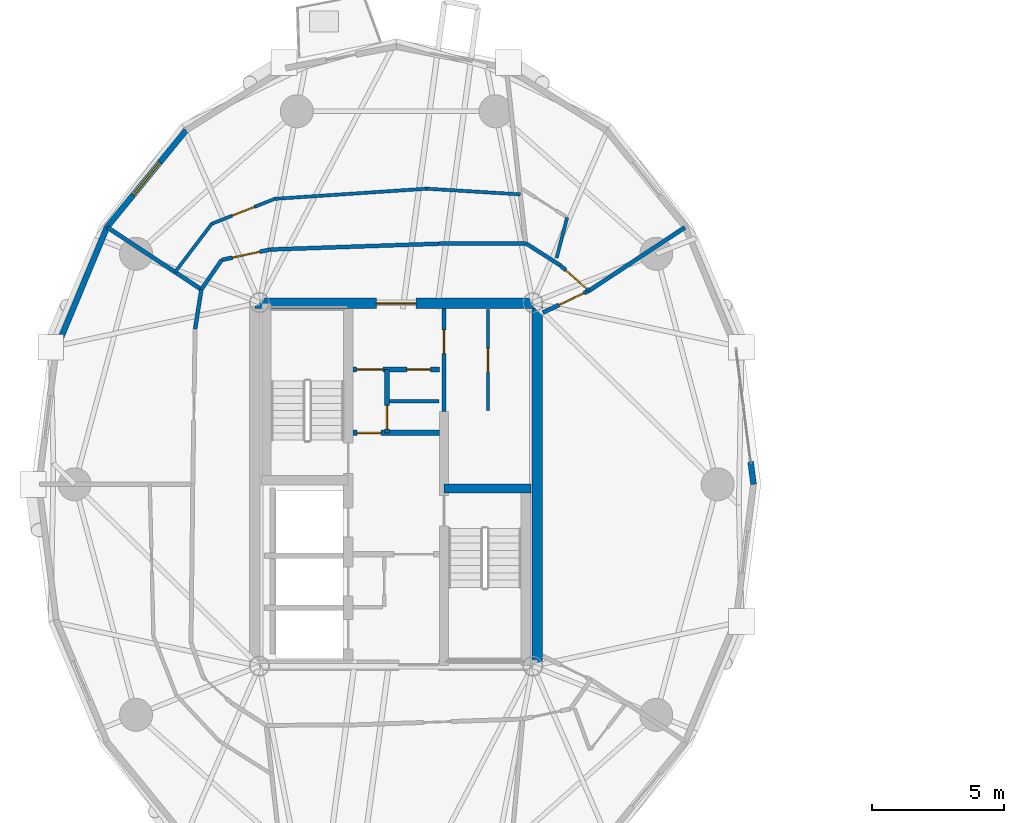
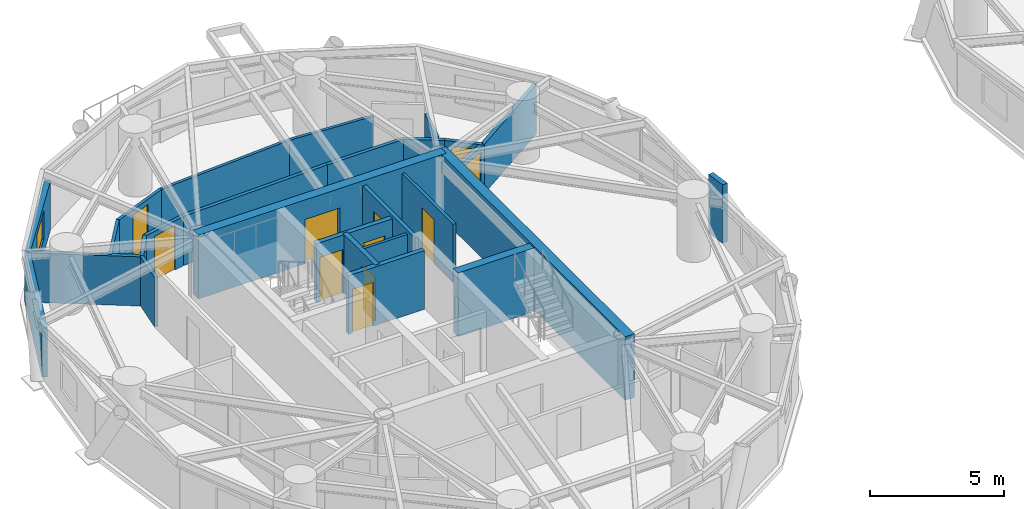
# One storey, part 11 of 18: 27 walls, 11 doors, 1 window, 12 openings.
"""IFC4 building model written with IfcOpenShell, lengths in metres."""

import ifcopenshell
import ifcopenshell.guid

model = None  # the IFC model being written
_history = None  # IfcOwnerHistory: only IFC2X3 demands one
_inside = {}  # id of a spatial element -> (the spatial element, [elements in it])
_under = {}  # id of a project, library or spatial element -> (it, [spatial elements below it])
_declared = {}  # id of a project -> (the project, [libraries it declares])
_typed = {}  # id of a type object -> (the type object, [elements of that type])
_made_of = {}  # id of a material, layer set ... -> (it, [elements and type objects made of it])


def new_model(schema):
    """Start an empty IFC model of exactly this schema.

    Asked for "IFC4X3", IfcOpenShell would pick the latest addendum, in which some entities
    have other attributes; the version numbers below select the first issue.
    IFC2X3 requires an IfcOwnerHistory on every rooted entity: one is made here for all.
    """
    global model, _history
    if schema == "IFC4X3":
        model = ifcopenshell.file(schema_version=(4, 3, 0, 0))
    else:
        model = ifcopenshell.file(schema=schema)
    _inside.clear()
    _under.clear()
    _declared.clear()
    _typed.clear()
    _made_of.clear()
    _history = None
    if model.schema == "IFC2X3":
        org = make("IfcOrganization", Name="unknown")
        user = make(
            "IfcPersonAndOrganization",
            ThePerson=make("IfcPerson", FamilyName="unknown"),
            TheOrganization=org,
        )
        app = make(
            "IfcApplication",
            ApplicationDeveloper=org,
            Version="unknown",
            ApplicationFullName="unknown",
            ApplicationIdentifier="unknown",
        )
        _history = make(
            "IfcOwnerHistory",
            OwningUser=user,
            OwningApplication=app,
            ChangeAction="ADDED",
            CreationDate=0,
        )
    return model


def make(cls, **values):
    """One entity of the class cls with the attributes given. An attribute that is None is left unset."""
    return model.create_entity(
        cls, **{name: value for name, value in values.items() if value is not None}
    )


def rooted(cls, **values):
    """An entity with a GlobalId (a new one), such as an element, a storey or a relation."""
    return make(cls, GlobalId=ifcopenshell.guid.new(), OwnerHistory=_history, **values)


def si_unit(unit_type, name, prefix=None):
    """IfcSIUnit, for example si_unit("LENGTHUNIT", "METRE", prefix="MILLI")."""
    return make("IfcSIUnit", UnitType=unit_type, Prefix=prefix, Name=name)


def assignment(units):
    """IfcUnitAssignment: the units of a project."""
    return None if units is None else make("IfcUnitAssignment", Units=units)


def point(xyz):
    """IfcCartesianPoint."""
    return None if xyz is None else make("IfcCartesianPoint", Coordinates=xyz)


def direction(xyz):
    """IfcDirection."""
    return None if xyz is None else make("IfcDirection", DirectionRatios=xyz)


def frame(location, z_axis=None, x_axis=None):
    """IfcAxis2Placement3D, a coordinate frame: its origin and axes. An axis left out is left unset."""
    return make(
        "IfcAxis2Placement3D",
        Location=point(location),
        Axis=direction(z_axis),
        RefDirection=direction(x_axis),
    )


def frame_2d(location, x_axis=None):
    """IfcAxis2Placement2D, a coordinate frame in the plane: its origin and x axis."""
    return make(
        "IfcAxis2Placement2D", Location=point(location), RefDirection=direction(x_axis)
    )


def origin():
    """The frame at (0, 0, 0) with its axes left unset."""
    return frame((0.0, 0.0, 0.0))


def place(relative_to, where):
    """IfcLocalPlacement: puts the frame where relative to a parent placement (None: the world)."""
    return make(
        "IfcLocalPlacement", PlacementRelTo=relative_to, RelativePlacement=where
    )


def context(
    kind, dimensions, precision=None, world=None, true_north=None, identifier=None
):
    """IfcGeometricRepresentationContext, for example the 3D "Model" context."""
    return make(
        "IfcGeometricRepresentationContext",
        ContextIdentifier=identifier,
        ContextType=kind,
        CoordinateSpaceDimension=dimensions,
        Precision=precision,
        WorldCoordinateSystem=world,
        TrueNorth=true_north,
    )


def subcontext(parent, identifier, kind, view, scale=None):
    """IfcGeometricRepresentationSubContext, for example "Body" below "Model"."""
    return make(
        "IfcGeometricRepresentationSubContext",
        ContextIdentifier=identifier,
        ContextType=kind,
        ParentContext=parent,
        TargetScale=scale,
        TargetView=view,
    )


def project(units=None, contexts=None):
    """IfcProject with its units and contexts."""
    return rooted(
        "IfcProject",
        Name="project",
        RepresentationContexts=contexts,
        UnitsInContext=assignment(units),
    )


def spatial(cls, under=None, at=None, **own):
    """A site, building, storey or space (cls), placed at a placement, below another one or the project."""
    s = rooted(cls, ObjectPlacement=at, **own)
    if under is not None:
        _under.setdefault(under.id(), (under, []))[1].append(s)
    return s


def profile(cls, at=None, kind="AREA", **sizes):
    """A parametric profile (cls). Its sizes go by their IFC names, for example OverallWidth=200.0."""
    return make(cls, ProfileType=kind, Position=at, **sizes)


def rectangle(**sizes):
    """IfcRectangleProfileDef."""
    return profile("IfcRectangleProfileDef", **sizes)


def extrude(swept, where, along, depth):
    """IfcExtrudedAreaSolid: the profile swept, set in the frame where, extruded along a direction by depth."""
    return make(
        "IfcExtrudedAreaSolid",
        SweptArea=swept,
        Position=where,
        ExtrudedDirection=direction(along),
        Depth=depth,
    )


def shape(context_of_items, identifier, shape_type, items):
    """IfcShapeRepresentation: the items that make up one representation, for example the "Body"."""
    return make(
        "IfcShapeRepresentation",
        ContextOfItems=context_of_items,
        RepresentationIdentifier=identifier,
        RepresentationType=shape_type,
        Items=items,
    )


def source(mapping_origin, context_of_items, identifier, shape_type, items):
    """IfcRepresentationMap: a shape defined once, which mapped items show again and again."""
    return make(
        "IfcRepresentationMap",
        MappingOrigin=mapping_origin,
        MappedRepresentation=shape(context_of_items, identifier, shape_type, items),
    )


def transform(
    local_origin,
    x_axis=None,
    y_axis=None,
    z_axis=None,
    scale=None,
    scale2=None,
    scale3=None,
    uniform=True,
):
    """IfcCartesianTransformationOperator3D, or its non-uniform kind. x_axis, y_axis, z_axis: its Axis1, 2, 3."""
    if uniform:
        return make(
            "IfcCartesianTransformationOperator3D",
            Axis1=direction(x_axis),
            Axis2=direction(y_axis),
            LocalOrigin=point(local_origin),
            Scale=scale,
            Axis3=direction(z_axis),
        )
    return make(
        "IfcCartesianTransformationOperator3DnonUniform",
        Axis1=direction(x_axis),
        Axis2=direction(y_axis),
        LocalOrigin=point(local_origin),
        Scale=scale,
        Axis3=direction(z_axis),
        Scale2=scale2,
        Scale3=scale3,
    )


def mapped(mapping_source, mapping_target):
    """IfcMappedItem: shows the shape of a source again, moved by a transform."""
    return make(
        "IfcMappedItem", MappingSource=mapping_source, MappingTarget=mapping_target
    )


def material(Name=None, Category=None):
    """IfcMaterial."""
    return make("IfcMaterial", Name=Name, Category=Category)


def layer(
    of_material, thickness, ventilated=None, Name=None, Category=None, Priority=None
):
    """IfcMaterialLayer: one layer of a wall or slab, of a material (None: an air gap)."""
    return make(
        "IfcMaterialLayer",
        Material=of_material,
        LayerThickness=thickness,
        IsVentilated=ventilated,
        Name=Name,
        Category=Category,
        Priority=Priority,
    )


def layer_set(layers, Name=None):
    """IfcMaterialLayerSet."""
    return make("IfcMaterialLayerSet", MaterialLayers=layers, LayerSetName=Name)


def made_of(thing, what):
    """Note that an element or type object is made of a material, layer set ...; save() writes the relation."""
    if what is not None:
        _made_of.setdefault(what.id(), (what, []))[1].append(thing)
    return thing


def type_object(cls, material=None, **own):
    """A type object (cls), such as IfcWallType, which elements share."""
    return made_of(rooted(cls, **own), material)


def element(
    cls,
    number,
    at=None,
    inside=None,
    cuts=None,
    type_object=None,
    material=None,
    context=None,
    identifier="Body",
    shape_type=None,
    held_by="IfcProductDefinitionShape",
    body=None,
    shapes=None,
    **own,
):
    """One element of the class cls, such as IfcWall. Its Tag is "e" and its number.

    at: its placement. inside: the storey or other place that contains it. cuts: it is an
    opening in that element (IfcRelVoidsElement). A single representation is given by context,
    identifier, shape_type and body (its items); several are given by shapes. held_by: the class
    of the entity that holds the representations. save() writes the other relations.
    """
    e = rooted(cls, Tag="e%d" % number, ObjectPlacement=at, **own)
    if body is not None:
        shapes = [shape(context, identifier, shape_type, body)]
    if shapes is not None:
        e.Representation = make(held_by, Representations=shapes)
    if inside is not None:
        _inside.setdefault(inside.id(), (inside, []))[1].append(e)
    if cuts is not None:
        rooted(
            "IfcRelVoidsElement", RelatingBuildingElement=cuts, RelatedOpeningElement=e
        )
    if type_object is not None:
        _typed.setdefault(type_object.id(), (type_object, []))[1].append(e)
    return made_of(e, material)


def fill(opening, filler):
    """IfcRelFillsElement: the door or window that sits in an opening."""
    return rooted(
        "IfcRelFillsElement",
        RelatingOpeningElement=opening,
        RelatedBuildingElement=filler,
    )


def aggregate(whole, parts):
    """IfcRelAggregates: a whole, such as a stair, and the parts it consists of."""
    return rooted("IfcRelAggregates", RelatingObject=whole, RelatedObjects=parts)


def save(model, path):
    """Write the relations noted so far, then the file.

    IfcRelAggregates (storeys below a building ...), IfcRelContainedInSpatialStructure (elements
    in a storey), IfcRelDefinesByType, IfcRelAssociatesMaterial and IfcRelDeclares: one each for
    every whole, place, type object, material and project.
    """
    for whole, parts in _under.values():
        aggregate(whole, parts)
    for where, things in _inside.values():
        rooted(
            "IfcRelContainedInSpatialStructure",
            RelatedElements=things,
            RelatingStructure=where,
        )
    for kind, things in _typed.values():
        rooted("IfcRelDefinesByType", RelatedObjects=things, RelatingType=kind)
    for what, things in _made_of.values():
        rooted("IfcRelAssociatesMaterial", RelatedObjects=things, RelatingMaterial=what)
    for by, libraries in _declared.values():
        rooted("IfcRelDeclares", RelatingContext=by, RelatedDefinitions=libraries)
    model.write(path)


model = new_model("IFC4")

# Units and contexts
model_context = context("Model", 3, precision=1e-05, world=origin(), true_north=direction((0.0, 1.0)))
body_context = subcontext(model_context, "Body", "Model", "MODEL_VIEW")
ifc_project = project(units=[si_unit("LENGTHUNIT", "METRE"), si_unit("AREAUNIT", "SQUARE_METRE"), si_unit("VOLUMEUNIT", "CUBIC_METRE"), si_unit("PLANEANGLEUNIT", "RADIAN"), si_unit("MASSUNIT", "GRAM", prefix="KILO")], contexts=[model_context])

# Site, building, storey
site_placement = place(None, origin())
site = spatial("IfcSite", under=ifc_project, at=site_placement, CompositionType="ELEMENT")
building_placement = place(site_placement, origin())
building = spatial("IfcBuilding", under=site, at=building_placement, Name="Cununo Teusaquillo Station Towers", CompositionType="ELEMENT")
storey_placement = place(building_placement, frame((0.0, 0.0, 169.06005859375)))
storey = spatial("IfcBuildingStorey", under=building, at=storey_placement, Name="L53", CompositionType="ELEMENT", Elevation=169.06005859375)

# Walls
ifc_material_1 = material(Name="Concrete C50/60", Category="concrete")
ifc_layer_1 = layer(ifc_material_1, 0.35009765625)
ifc_layer_set_1 = layer_set([ifc_layer_1], Name="Concrete C50/60")
wall_type_1 = type_object("IfcWallType", Name="WL-CORE-350", PredefinedType="SHEAR", material=ifc_layer_set_1)
wall_1_placement = place(storey_placement, frame((18.31494140625, 24.344970703125, 0.0), z_axis=(0.0, 0.0, 1.0), x_axis=(1.0, 0.0, 0.0)))
element("IfcWall", 1, at=wall_1_placement, inside=storey, type_object=wall_type_1, Name="L53 Tower A Core Shear Wall ST2N", PredefinedType="SHEAR", context=body_context, shape_type="SweptSolid", body=[
    extrude(rectangle(XDim=3.28515625, YDim=0.35009765625, at=frame_2d((1.642578125, 0.0))), origin(), (0.0, 0.0, 1.0), 2.909912109375),
])
ifc_material_2 = material(Name="Concrete C50/60", Category="concrete")
ifc_layer_2 = layer(ifc_material_2, 0.39990234375)
ifc_layer_set_2 = layer_set([ifc_layer_2], Name="Concrete C50/60")
wall_type_2 = type_object("IfcWallType", Name="WL-CORE-400", PredefinedType="SHEAR", material=ifc_layer_set_2)
wall_2_placement = place(storey_placement, frame((21.85009765625, 17.449951171875, 0.0), z_axis=(0.0, 0.0, 1.0), x_axis=(0.0, 1.0, 0.0)))
element("IfcWall", 2, at=wall_2_placement, inside=storey, type_object=wall_type_2, Name="L53 Tower A Core Shear Wall E", PredefinedType="SHEAR", context=body_context, shape_type="SweptSolid", body=[
    extrude(rectangle(XDim=14.10009765625, YDim=0.39990234375, at=frame_2d((7.050048828125, 0.0))), origin(), (0.0, 0.0, 1.0), 2.909912109375),
])

# Wall, opening, door
wall_3_placement = place(storey_placement, frame((11.14990234375, 31.35009765625, 0.0), z_axis=(0.0, 0.0, 1.0), x_axis=(1.0, 0.0, 0.0)))
wall_3 = element("IfcWall", 3, at=wall_3_placement, inside=storey, type_object=wall_type_2, Name="L53 Tower A Core Shear Wall N", PredefinedType="SHEAR", context=body_context, shape_type="SweptSolid", body=[
    extrude(rectangle(XDim=10.7001953125, YDim=0.39990234375, at=frame_2d((5.35009765625, 0.0))), origin(), (0.0, 0.0, 1.0), 2.909912109375),
])
shared_shape_1 = source(origin(), body_context, "Body", "SweptSolid", [
    extrude(rectangle(XDim=1.5, YDim=2.02001953125, at=frame_2d((0.75, 1.010009765625))), frame((0.0, 0.2099609375, 0.0), z_axis=(0.0, -1.0, 0.0), x_axis=(1.0, 0.0, 0.0)), (0.0, 0.0, 1.0), 0.419921875),
])
opening_1_placement = place(wall_3_placement, frame((4.60009765625, 0.0, 0.0)))
opening_1 = element("IfcOpeningElement", 4, at=opening_1_placement, cuts=wall_3, Name="Opening D-LB1", PredefinedType="OPENING", context=body_context, shape_type="MappedRepresentation", body=[
    mapped(shared_shape_1, transform((0.0, 0.0, 0.0), x_axis=(1.0, 0.0, 0.0), y_axis=(0.0, 1.0, 0.0), z_axis=(0.0, 0.0, 1.0), scale=1.0)),
])
ifc_material_3 = material(Name="Galvanised fire-rated hollow steel door assembly", Category="steel")
door_type_1 = type_object("IfcDoorType", Name="DR-LOBBY-1500", OperationType="DOUBLE_DOOR_SINGLE_SWING", PredefinedType="DOOR", material=ifc_material_3)
shared_shape_2 = source(origin(), body_context, "Body", "SweptSolid", [
    extrude(rectangle(XDim=1.5, YDim=2.02001953125, at=frame_2d((0.75, 1.010009765625))), frame((0.0, 0.02490234375, 0.0), z_axis=(0.0, -1.0, 0.0), x_axis=(1.0, 0.0, 0.0)), (0.0, 0.0, 1.0), 0.050048828125),
])
door_1_placement = place(opening_1_placement, origin())
door_1 = element("IfcDoor", 5, at=door_1_placement, inside=storey, type_object=door_type_1, Name="L53 Tower A North Core Lift Lobby Door", OperationType="DOUBLE_DOOR_SINGLE_SWING", OverallHeight=2.02001953125, OverallWidth=1.5, PredefinedType="DOOR", context=body_context, shape_type="MappedRepresentation", body=[
    mapped(shared_shape_2, transform((0.0, 0.0, 0.0), x_axis=(1.0, 0.0, 0.0), y_axis=(0.0, 1.0, 0.0), z_axis=(0.0, 0.0, 1.0), scale=1.0)),
])
fill(opening_1, door_1)

# Wall
ifc_material_4 = material(Name="Precast concrete C40/50", Category="concrete")
ifc_layer_3 = layer(ifc_material_4, 0.219970703125)
ifc_layer_set_3 = layer_set([ifc_layer_3], Name="Precast concrete C40/50")
wall_type_3 = type_object("IfcWallType", Name="WL-EXT-220", PredefinedType="SOLIDWALL", material=ifc_layer_set_3)
wall_4_placement = place(storey_placement, frame((29.91943359375, 25.36279296875, 0.0), z_axis=(0.0, 0.0, 1.0), x_axis=(0.128247365719, -0.991742211054, 0.0)))
element("IfcWall", 6, at=wall_4_placement, inside=storey, type_object=wall_type_3, Name="L53 Tower A Column Pier Cladding Wall C00-PB", PredefinedType="SOLIDWALL", context=body_context, shape_type="SweptSolid", body=[
    extrude(rectangle(XDim=0.869873046875, YDim=0.219970703125, at=frame_2d((0.43505859375, 0.0))), origin(), (0.0, 0.0, 1.0), 2.675048828125),
])

# Wall, opening, window
wall_5_placement = place(storey_placement, frame((5.55322265625, 34.239501953125, 0.0), z_axis=(0.0, 0.0, 1.0), x_axis=(0.632470615287, 0.774584353572, 0.0)))
wall_5 = element("IfcWall", 7, at=wall_5_placement, inside=storey, type_object=wall_type_3, Name="L53 Tower A Exterior Facade Wall C07", PredefinedType="SOLIDWALL", context=body_context, shape_type="SweptSolid", body=[
    extrude(rectangle(XDim=4.73291015625, YDim=0.219970703125, at=frame_2d((2.366455078125, 0.0))), origin(), (0.0, 0.0, 1.0), 2.244873046875),
])
shared_shape_3 = source(origin(), body_context, "Body", "SweptSolid", [
    extrude(rectangle(XDim=1.60009765625, YDim=1.300048828125, at=frame_2d((0.800048828125, 0.64990234375))), frame((0.0, 0.119873046875, 0.0), z_axis=(0.0, -1.0, 0.0), x_axis=(1.0, 0.0, 0.0)), (0.0, 0.0, 1.0), 0.239990234375),
])
opening_2_placement = place(wall_5_placement, frame((1.56591796875, 0.0, 0.64990234375)))
opening_2 = element("IfcOpeningElement", 8, at=opening_2_placement, cuts=wall_5, Name="Opening WN-03", PredefinedType="OPENING", context=body_context, shape_type="MappedRepresentation", body=[
    mapped(shared_shape_3, transform((0.0, 0.0, 0.0), x_axis=(1.0, 0.0, 0.0), y_axis=(0.0, 1.0, 0.0), z_axis=(0.0, 0.0, 1.0), scale=1.0)),
])
ifc_material_5 = material(Name="Ceramic-fritted dark low-E double glazing", Category="glass")
window_type = type_object("IfcWindowType", Name="WIN-CORN-1600", PartitioningType="SINGLE_PANEL", PredefinedType="WINDOW", material=ifc_material_5)
shared_shape_4 = source(origin(), body_context, "Body", "SweptSolid", [
    extrude(rectangle(XDim=1.60009765625, YDim=1.300048828125, at=frame_2d((0.800048828125, 0.64990234375))), frame((0.0, 0.030029296875, 0.0), z_axis=(0.0, -1.0, 0.0), x_axis=(1.0, 0.0, 0.0)), (0.0, 0.0, 1.0), 0.06005859375),
])
window_placement = place(opening_2_placement, origin())
window = element("IfcWindow", 9, at=window_placement, inside=storey, type_object=window_type, Name="L53 Tower A Facade Window C07", OverallHeight=1.300048828125, OverallWidth=1.60009765625, PartitioningType="SINGLE_PANEL", PredefinedType="WINDOW", context=body_context, shape_type="MappedRepresentation", body=[
    mapped(shared_shape_4, transform((0.0, 0.0, 0.0), x_axis=(1.0, 0.0, 0.0), y_axis=(0.0, 1.0, 0.0), z_axis=(0.0, 0.0, 1.0), scale=1.0)),
])
fill(opening_2, window)

# Walls
wall_6_placement = place(storey_placement, frame((3.63134765625, 29.620361328125, 0.0), z_axis=(0.0, 0.0, 1.0), x_axis=(0.384144094086, 0.923273152961, 0.0)))
element("IfcWall", 10, at=wall_6_placement, inside=storey, type_object=wall_type_3, Name="L53 Tower A Exterior Facade Wall C08", PredefinedType="SOLIDWALL", context=body_context, shape_type="SweptSolid", body=[
    extrude(rectangle(XDim=5.0029296875, YDim=0.219970703125, at=frame_2d((2.50146484375, 0.0))), origin(), (0.0, 0.0, 1.0), 2.244873046875),
])
ifc_material_6 = material(Name="Fire-rated gypsum plasterboard partition assembly", Category="gypsum")
ifc_layer_4 = layer(ifc_material_6, 0.125)
ifc_layer_set_4 = layer_set([ifc_layer_4], Name="Fire-rated gypsum plasterboard partition assembly")
wall_type_4 = type_object("IfcWallType", Name="WL-PART-125", PredefinedType="PARTITIONING", material=ifc_layer_set_4)
wall_7_placement = place(storey_placement, frame((16.239990234375, 27.64990234375, 0.0), z_axis=(0.0, 0.0, 1.0), x_axis=(1.0, 0.0, 0.0)))
element("IfcWall", 11, at=wall_7_placement, inside=storey, type_object=wall_type_4, Name="L53 Tower A Core Horizontal Split Wall", PredefinedType="PARTITIONING", context=body_context, shape_type="SweptSolid", body=[
    extrude(rectangle(XDim=1.880126953125, YDim=0.125, at=frame_2d((0.93994140625, 0.0))), origin(), (0.0, 0.0, 1.0), 2.675048828125),
])

# Wall, opening, door
wall_8_placement = place(storey_placement, frame((19.97998046875, 27.300048828125, 0.0), z_axis=(0.0, 0.0, 1.0), x_axis=(0.0, 1.0, 0.0)))
wall_8 = element("IfcWall", 12, at=wall_8_placement, inside=storey, type_object=wall_type_4, Name="L53 Tower A Reclaimed Bay Vertical Split Wall", PredefinedType="PARTITIONING", context=body_context, shape_type="SweptSolid", body=[
    extrude(rectangle(XDim=3.820068359375, YDim=0.125, at=frame_2d((1.91015625, 0.0))), origin(), (0.0, 0.0, 1.0), 2.675048828125),
])
shared_shape_5 = source(origin(), body_context, "Body", "SweptSolid", [
    extrude(rectangle(XDim=0.89990234375, YDim=2.0048828125, at=frame_2d((0.449951171875, 1.00244140625))), frame((0.0, 0.072509765625, 0.0), z_axis=(0.0, -1.0, 0.0), x_axis=(1.0, 0.0, 0.0)), (0.0, 0.0, 1.0), 0.14501953125),
])
opening_3_placement = place(wall_8_placement, frame((1.449951171875, 0.0, 0.0)))
opening_3 = element("IfcOpeningElement", 13, at=opening_3_placement, cuts=wall_8, Name="Opening D-IN1", PredefinedType="OPENING", context=body_context, shape_type="MappedRepresentation", body=[
    mapped(shared_shape_5, transform((0.0, 0.0, 0.0), x_axis=(1.0, 0.0, 0.0), y_axis=(0.0, 1.0, 0.0), z_axis=(0.0, 0.0, 1.0), scale=1.0)),
])
ifc_material_7 = material(Name="Acoustic solid-core hardwood leaf assembly", Category="wood")
door_type_2 = type_object("IfcDoorType", Name="DR-INT-900", OperationType="NOTDEFINED", PredefinedType="DOOR", material=ifc_material_7)
shared_shape_6 = source(origin(), body_context, "Body", "SweptSolid", [
    extrude(rectangle(XDim=0.89990234375, YDim=2.0048828125, at=frame_2d((0.449951171875, 1.00244140625))), frame((0.0, 0.02490234375, 0.0), z_axis=(0.0, -1.0, 0.0), x_axis=(1.0, 0.0, 0.0)), (0.0, 0.0, 1.0), 0.050048828125),
])
door_2_placement = place(opening_3_placement, origin())
door_2 = element("IfcDoor", 14, at=door_2_placement, inside=storey, type_object=door_type_2, Name="L53 Tower A Reclaimed Acoustic Booth Door", OperationType="SINGLE_SWING_RIGHT", OverallHeight=2.0048828125, OverallWidth=0.89990234375, PredefinedType="DOOR", context=body_context, shape_type="MappedRepresentation", body=[
    mapped(shared_shape_6, transform((0.0, 0.0, 0.0), x_axis=(1.0, 0.0, 0.0), y_axis=(0.0, 1.0, 0.0), z_axis=(0.0, 0.0, 1.0), scale=1.0)),
])
fill(opening_3, door_2)

# Walls
wall_9_placement = place(storey_placement, frame((22.573974609375, 33.066650390625, 0.0), z_axis=(0.0, 0.0, 1.0), x_axis=(0.251728683558, 0.967797845562, 0.0)))
element("IfcWall", 15, at=wall_9_placement, inside=storey, type_object=wall_type_4, Name="L53 Tower A S01 En-suite Side Wall", PredefinedType="PARTITIONING", context=body_context, shape_type="SweptSolid", body=[
    extrude(rectangle(XDim=1.591552734375, YDim=0.125, at=frame_2d((0.7958984375, 0.0))), origin(), (0.0, 0.0, 1.0), 2.244873046875),
])
wall_10_placement = place(storey_placement, frame((21.2001953125, 35.47900390625, 0.0), z_axis=(0.0, 0.0, 1.0), x_axis=(-0.998186807544, 0.060192169299, 0.0)))
element("IfcWall", 16, at=wall_10_placement, inside=storey, type_object=wall_type_4, Name="L53 Tower A Private Butler & Banquet Hall Concentric Partition Wall C04", PredefinedType="PARTITIONING", context=body_context, shape_type="SweptSolid", body=[
    extrude(rectangle(XDim=3.552978515625, YDim=0.125, at=frame_2d((1.7763671875, 0.0))), origin(), (0.0, 0.0, 1.0), 2.244873046875),
])
wall_11_placement = place(storey_placement, frame((17.653564453125, 35.69287109375, 0.0), z_axis=(0.0, 0.0, 1.0), x_axis=(-0.997772764399, -0.06670465219, 0.0)))
element("IfcWall", 17, at=wall_11_placement, inside=storey, type_object=wall_type_4, Name="L53 Tower A Private Butler & Banquet Hall Concentric Partition Wall C05", PredefinedType="PARTITIONING", context=body_context, shape_type="SweptSolid", body=[
    extrude(rectangle(XDim=5.760986328125, YDim=0.125, at=frame_2d((2.88037109375, 0.0))), origin(), (0.0, 0.0, 1.0), 2.244873046875),
])

# Wall, opening, door
wall_12_placement = place(storey_placement, frame((11.905517578125, 35.30859375, 0.0), z_axis=(0.0, 0.0, 1.0), x_axis=(-0.930011423211, -0.367530614639, 0.0)))
wall_12 = element("IfcWall", 18, at=wall_12_placement, inside=storey, type_object=wall_type_4, Name="L53 Tower A Private Butler & Banquet Hall Concentric Partition Wall C06", PredefinedType="PARTITIONING", context=body_context, shape_type="SweptSolid", body=[
    extrude(rectangle(XDim=2.564697265625, YDim=0.125, at=frame_2d((1.2822265625, 0.0))), origin(), (0.0, 0.0, 1.0), 2.244873046875),
])
opening_4_placement = place(wall_12_placement, frame((0.832275390625, 0.0, 0.0)))
opening_4 = element("IfcOpeningElement", 19, at=opening_4_placement, cuts=wall_12, Name="Opening D-IN1", PredefinedType="OPENING", context=body_context, shape_type="MappedRepresentation", body=[
    mapped(shared_shape_5, transform((0.0, 0.0, 0.0), x_axis=(1.0, 0.0, 0.0), y_axis=(0.0, 1.0, 0.0), z_axis=(0.0, 0.0, 1.0), scale=1.0)),
])
door_3_placement = place(opening_4_placement, origin())
door_3 = element("IfcDoor", 20, at=door_3_placement, inside=storey, type_object=door_type_2, Name="L53 Tower A Private Butler & Banquet Hall Connecting Door", OperationType="SINGLE_SWING_RIGHT", OverallHeight=2.0048828125, OverallWidth=0.89990234375, PredefinedType="DOOR", context=body_context, shape_type="MappedRepresentation", body=[
    mapped(shared_shape_6, transform((0.0, 0.0, 0.0), x_axis=(1.0, 0.0, 0.0), y_axis=(0.0, 1.0, 0.0), z_axis=(0.0, 0.0, 1.0), scale=1.0)),
])
fill(opening_4, door_3)

# Wall
wall_13_placement = place(storey_placement, frame((9.520263671875, 34.365966796875, 0.0), z_axis=(0.0, 0.0, 1.0), x_axis=(-0.604900120492, -0.796301352648, 0.0)))
element("IfcWall", 21, at=wall_13_placement, inside=storey, type_object=wall_type_4, Name="L53 Tower A Private Butler & Banquet Hall Concentric Partition Wall C07", PredefinedType="PARTITIONING", context=body_context, shape_type="SweptSolid", body=[
    extrude(rectangle(XDim=2.298583984375, YDim=0.125, at=frame_2d((1.1494140625, 0.0))), origin(), (0.0, 0.0, 1.0), 2.244873046875),
])

# Wall, opening, door
ifc_material_8 = material(Name="Fire-rated gypsum plasterboard partition assembly", Category="gypsum")
ifc_layer_5 = layer(ifc_material_8, 0.14990234375)
ifc_layer_set_5 = layer_set([ifc_layer_5], Name="Fire-rated gypsum plasterboard partition assembly")
wall_type_5 = type_object("IfcWallType", Name="WL-PART-150", PredefinedType="PARTITIONING", material=ifc_layer_set_5)
wall_14_placement = place(storey_placement, frame((23.794189453125, 31.82568359375, 0.0), z_axis=(0.0, 0.0, 1.0), x_axis=(-0.745254554732, 0.666780060178, 0.0)))
wall_14 = element("IfcWall", 22, at=wall_14_placement, inside=storey, type_object=wall_type_5, Name="L53 Tower A Corridor Ring Wall C02", PredefinedType="PARTITIONING", context=body_context, shape_type="SweptSolid", body=[
    extrude(rectangle(XDim=1.446533203125, YDim=0.14990234375, at=frame_2d((0.72314453125, 0.0))), origin(), (0.0, 0.0, 1.0), 2.244873046875),
])
shared_shape_7 = source(origin(), body_context, "Body", "SweptSolid", [
    extrude(rectangle(XDim=1.050048828125, YDim=2.014892578125, at=frame_2d((0.52490234375, 1.00732421875))), frame((0.0, 0.0849609375, 0.0), z_axis=(0.0, -1.0, 0.0), x_axis=(1.0, 0.0, 0.0)), (0.0, 0.0, 1.0), 0.169921875),
])
opening_5_placement = place(wall_14_placement, frame((0.1201171875, 0.0, 0.0)))
opening_5 = element("IfcOpeningElement", 23, at=opening_5_placement, cuts=wall_14, Name="Opening D-SU1", PredefinedType="OPENING", context=body_context, shape_type="MappedRepresentation", body=[
    mapped(shared_shape_7, transform((0.0, 0.0, 0.0), x_axis=(1.0, 0.0, 0.0), y_axis=(0.0, 1.0, 0.0), z_axis=(0.0, 0.0, 1.0), scale=1.0)),
])
ifc_material_9 = material(Name="Acoustic solid-core hardwood leaf assembly", Category="wood")
door_type_3 = type_object("IfcDoorType", Name="DR-SUITE-1050", OperationType="NOTDEFINED", PredefinedType="DOOR", material=ifc_material_9)
shared_shape_8 = source(origin(), body_context, "Body", "SweptSolid", [
    extrude(rectangle(XDim=1.050048828125, YDim=2.014892578125, at=frame_2d((0.52490234375, 1.00732421875))), frame((0.0, 0.02490234375, 0.0), z_axis=(0.0, -1.0, 0.0), x_axis=(1.0, 0.0, 0.0)), (0.0, 0.0, 1.0), 0.050048828125),
])
door_4_placement = place(opening_5_placement, origin())
door_4 = element("IfcDoor", 24, at=door_4_placement, inside=storey, type_object=door_type_3, Name="L53 Tower A Royal Teusaquillo Hotel Suite Entrance Door", OperationType="SINGLE_SWING_LEFT", OverallHeight=2.014892578125, OverallWidth=1.050048828125, PredefinedType="DOOR", context=body_context, shape_type="MappedRepresentation", body=[
    mapped(shared_shape_8, transform((0.0, 0.0, 0.0), x_axis=(1.0, 0.0, 0.0), y_axis=(0.0, 1.0, 0.0), z_axis=(0.0, 0.0, 1.0), scale=1.0)),
])
fill(opening_5, door_4)

# Walls
wall_15_placement = place(storey_placement, frame((22.716064453125, 32.790283203125, 0.0), z_axis=(0.0, 0.0, 1.0), x_axis=(-0.842988828391, 0.537931069197, 0.0)))
element("IfcWall", 25, at=wall_15_placement, inside=storey, type_object=wall_type_5, Name="L53 Tower A Corridor Ring Wall C03", PredefinedType="PARTITIONING", context=body_context, shape_type="SweptSolid", body=[
    extrude(rectangle(XDim=1.555908203125, YDim=0.14990234375, at=frame_2d((0.77783203125, 0.0))), origin(), (0.0, 0.0, 1.0), 2.244873046875),
])
wall_16_placement = place(storey_placement, frame((21.404541015625, 33.627197265625, 0.0), z_axis=(0.0, 0.0, 1.0), x_axis=(-0.999985834797, -0.00532261256, 0.0)))
element("IfcWall", 26, at=wall_16_placement, inside=storey, type_object=wall_type_5, Name="L53 Tower A Corridor Ring Wall C04", PredefinedType="PARTITIONING", context=body_context, shape_type="SweptSolid", body=[
    extrude(rectangle(XDim=3.302490234375, YDim=0.14990234375, at=frame_2d((1.6513671875, 0.0))), origin(), (0.0, 0.0, 1.0), 2.244873046875),
])
wall_17_placement = place(storey_placement, frame((18.10205078125, 33.609619140625, 0.0), z_axis=(0.0, 0.0, 1.0), x_axis=(-0.999410320072, -0.034336746121, 0.0)))
element("IfcWall", 27, at=wall_17_placement, inside=storey, type_object=wall_type_5, Name="L53 Tower A Corridor Ring Wall C05", PredefinedType="PARTITIONING", context=body_context, shape_type="SweptSolid", body=[
    extrude(rectangle(XDim=6.363525390625, YDim=0.14990234375, at=frame_2d((3.181640625, 0.0))), origin(), (0.0, 0.0, 1.0), 2.244873046875),
])

# Wall, opening, door
wall_18_placement = place(storey_placement, frame((11.7421875, 33.39111328125, 0.0), z_axis=(0.0, 0.0, 1.0), x_axis=(-0.977853431612, -0.209290865268, 0.0)))
wall_18 = element("IfcWall", 28, at=wall_18_placement, inside=storey, type_object=wall_type_5, Name="L53 Tower A Corridor Ring Wall C06", PredefinedType="PARTITIONING", context=body_context, shape_type="SweptSolid", body=[
    extrude(rectangle(XDim=1.8896484375, YDim=0.14990234375, at=frame_2d((0.94482421875, 0.0))), origin(), (0.0, 0.0, 1.0), 2.244873046875),
])
opening_6_placement = place(wall_18_placement, frame((0.419921875, 0.0, 0.0)))
opening_6 = element("IfcOpeningElement", 29, at=opening_6_placement, cuts=wall_18, Name="Opening D-SU1", PredefinedType="OPENING", context=body_context, shape_type="MappedRepresentation", body=[
    mapped(shared_shape_7, transform((0.0, 0.0, 0.0), x_axis=(1.0, 0.0, 0.0), y_axis=(0.0, 1.0, 0.0), z_axis=(0.0, 0.0, 1.0), scale=1.0)),
])
door_5_placement = place(opening_6_placement, origin())
door_5 = element("IfcDoor", 30, at=door_5_placement, inside=storey, type_object=door_type_3, Name="L53 Tower A Private Butler & Banquet Hall Entrance Door", OperationType="SINGLE_SWING_LEFT", OverallHeight=2.014892578125, OverallWidth=1.050048828125, PredefinedType="DOOR", context=body_context, shape_type="MappedRepresentation", body=[
    mapped(shared_shape_8, transform((0.0, 0.0, 0.0), x_axis=(1.0, 0.0, 0.0), y_axis=(0.0, 1.0, 0.0), z_axis=(0.0, 0.0, 1.0), scale=1.0)),
])
fill(opening_6, door_5)

# Walls
wall_19_placement = place(storey_placement, frame((9.894287109375, 32.99560546875, 0.0), z_axis=(0.0, 0.0, 1.0), x_axis=(-0.566521185207, -0.824047175052, 0.0)))
element("IfcWall", 31, at=wall_19_placement, inside=storey, type_object=wall_type_5, Name="L53 Tower A Corridor Ring Wall C07", PredefinedType="PARTITIONING", context=body_context, shape_type="SweptSolid", body=[
    extrude(rectangle(XDim=1.356689453125, YDim=0.14990234375, at=frame_2d((0.67822265625, 0.0))), origin(), (0.0, 0.0, 1.0), 2.244873046875),
])
wall_20_placement = place(storey_placement, frame((9.125732421875, 31.877685546875, 0.0), z_axis=(0.0, 0.0, 1.0), x_axis=(-0.156632813117, -0.98765690493, 0.0)))
element("IfcWall", 32, at=wall_20_placement, inside=storey, type_object=wall_type_5, Name="L53 Tower A Corridor Ring Wall C08", PredefinedType="PARTITIONING", context=body_context, shape_type="SweptSolid", body=[
    extrude(rectangle(XDim=1.51513671875, YDim=0.14990234375, at=frame_2d((0.757568359375, 0.0))), origin(), (0.0, 0.0, 1.0), 2.244873046875),
])

# Wall, opening, door
ifc_material_10 = material(Name="Fire-rated gypsum plasterboard partition assembly", Category="gypsum")
ifc_layer_6 = layer(ifc_material_10, 0.159912109375)
ifc_layer_set_6 = layer_set([ifc_layer_6], Name="Fire-rated gypsum plasterboard partition assembly")
wall_type_6 = type_object("IfcWallType", Name="WL-PART-160", PredefinedType="PARTITIONING", material=ifc_layer_set_6)
wall_21_placement = place(storey_placement, frame((18.31494140625, 27.25, 0.0), z_axis=(0.0, 0.0, 1.0), x_axis=(0.0, 1.0, 0.0)))
wall_21 = element("IfcWall", 33, at=wall_21_placement, inside=storey, type_object=wall_type_6, Name="L53 Tower A Reclaimed Core Bay Entry Wall", PredefinedType="PARTITIONING", context=body_context, shape_type="SweptSolid", body=[
    extrude(rectangle(XDim=3.89990234375, YDim=0.159912109375, at=frame_2d((1.949951171875, 0.0))), origin(), (0.0, 0.0, 1.0), 2.675048828125),
])
shared_shape_9 = source(origin(), body_context, "Body", "SweptSolid", [
    extrude(rectangle(XDim=0.89990234375, YDim=2.0048828125, at=frame_2d((0.449951171875, 1.00244140625))), frame((0.0, 0.08984375, 0.0), z_axis=(0.0, -1.0, 0.0), x_axis=(1.0, 0.0, 0.0)), (0.0, 0.0, 1.0), 0.179931640625),
])
opening_7_placement = place(wall_21_placement, frame((2.199951171875, 0.0, 0.0)))
opening_7 = element("IfcOpeningElement", 34, at=opening_7_placement, cuts=wall_21, Name="Opening D-IN1", PredefinedType="OPENING", context=body_context, shape_type="MappedRepresentation", body=[
    mapped(shared_shape_9, transform((0.0, 0.0, 0.0), x_axis=(1.0, 0.0, 0.0), y_axis=(0.0, 1.0, 0.0), z_axis=(0.0, 0.0, 1.0), scale=1.0)),
])
door_6_placement = place(opening_7_placement, origin())
door_6 = element("IfcDoor", 35, at=door_6_placement, inside=storey, type_object=door_type_2, Name="L53 Tower A Reclaimed Meeting Room Door", OperationType="SINGLE_SWING_LEFT", OverallHeight=2.0048828125, OverallWidth=0.89990234375, PredefinedType="DOOR", context=body_context, shape_type="MappedRepresentation", body=[
    mapped(shared_shape_6, transform((0.0, 0.0, 0.0), x_axis=(1.0, 0.0, 0.0), y_axis=(0.0, 1.0, 0.0), z_axis=(0.0, 0.0, 1.0), scale=1.0)),
])
fill(opening_7, door_6)

# Walls
wall_22_placement = place(storey_placement, frame((23.794189453125, 31.82568359375, 0.0), z_axis=(0.0, 0.0, 1.0), x_axis=(0.834395586857, 0.551166040892, 0.0)))
element("IfcWall", 36, at=wall_22_placement, inside=storey, type_object=wall_type_6, Name="L53 Tower A Radial Suite Partition R01", PredefinedType="PARTITIONING", context=body_context, shape_type="SweptSolid", body=[
    extrude(rectangle(XDim=4.358154296875, YDim=0.159912109375, at=frame_2d((2.17919921875, 0.0))), origin(), (0.0, 0.0, 1.0), 2.244873046875),
])
wall_23_placement = place(storey_placement, frame((9.125732421875, 31.877685546875, 0.0), z_axis=(0.0, 0.0, 1.0), x_axis=(-0.834299098788, 0.551312083815, 0.0)))
element("IfcWall", 37, at=wall_23_placement, inside=storey, type_object=wall_type_6, Name="L53 Tower A Radial Suite Partition R03", PredefinedType="PARTITIONING", context=body_context, shape_type="SweptSolid", body=[
    extrude(rectangle(XDim=4.2626953125, YDim=0.159912109375, at=frame_2d((2.13134765625, 0.0))), origin(), (0.0, 0.0, 1.0), 2.244873046875),
])

# Wall, opening, door
wall_24_placement = place(storey_placement, frame((22.050048828125, 31.0, 0.0), z_axis=(0.0, 0.0, 1.0), x_axis=(0.90383570832, 0.427879670428, 0.0)))
wall_24 = element("IfcWall", 38, at=wall_24_placement, inside=storey, type_object=wall_type_6, Name="L53 Tower A East Salon Corridor Portal Wall NE", PredefinedType="PARTITIONING", context=body_context, shape_type="SweptSolid", body=[
    extrude(rectangle(XDim=1.9296875, YDim=0.159912109375, at=frame_2d((0.96484375, 0.0))), origin(), (0.0, 0.0, 1.0), 2.244873046875),
])
shared_shape_10 = source(origin(), body_context, "Body", "SweptSolid", [
    extrude(rectangle(XDim=1.050048828125, YDim=2.014892578125, at=frame_2d((0.52490234375, 1.00732421875))), frame((0.0, 0.08984375, 0.0), z_axis=(0.0, -1.0, 0.0), x_axis=(1.0, 0.0, 0.0)), (0.0, 0.0, 1.0), 0.179931640625),
])
opening_8_placement = place(wall_24_placement, frame((0.6796875, 0.0, 0.0)))
opening_8 = element("IfcOpeningElement", 39, at=opening_8_placement, cuts=wall_24, Name="Opening D-SU1", PredefinedType="OPENING", context=body_context, shape_type="MappedRepresentation", body=[
    mapped(shared_shape_10, transform((0.0, 0.0, 0.0), x_axis=(1.0, 0.0, 0.0), y_axis=(0.0, 1.0, 0.0), z_axis=(0.0, 0.0, 1.0), scale=1.0)),
])
door_7_placement = place(opening_8_placement, origin())
door_7 = element("IfcDoor", 40, at=door_7_placement, inside=storey, type_object=door_type_3, Name="L53 Tower A East Panorama Sky Salon Door NE", OperationType="SINGLE_SWING_LEFT", OverallHeight=2.014892578125, OverallWidth=1.050048828125, PredefinedType="DOOR", context=body_context, shape_type="MappedRepresentation", body=[
    mapped(shared_shape_8, transform((0.0, 0.0, 0.0), x_axis=(1.0, 0.0, 0.0), y_axis=(0.0, 1.0, 0.0), z_axis=(0.0, 0.0, 1.0), scale=1.0)),
])
fill(opening_8, door_7)

ifc_material_11 = material(Name="Fire-rated gypsum plasterboard partition assembly", Category="gypsum")
ifc_layer_7 = layer(ifc_material_11, 0.199951171875)
ifc_layer_set_7 = layer_set([ifc_layer_7], Name="Fire-rated gypsum plasterboard partition assembly")
wall_type_7 = type_object("IfcWallType", Name="WL-PART-200", PredefinedType="PARTITIONING", material=ifc_layer_set_7)
wall_25_placement = place(storey_placement, frame((14.860107421875, 26.449951171875, 0.0), z_axis=(0.0, 0.0, 1.0), x_axis=(1.0, 0.0, 0.0)))
wall_25 = element("IfcWall", 41, at=wall_25_placement, inside=storey, type_object=wall_type_7, Name="L53 Tower A Firefighting Lift Lobby North Fire Wall", PredefinedType="PARTITIONING", context=body_context, shape_type="SweptSolid", body=[
    extrude(rectangle(XDim=3.27978515625, YDim=0.199951171875, at=frame_2d((1.639892578125, 0.0))), origin(), (0.0, 0.0, 1.0), 2.675048828125),
])
shared_shape_11 = source(origin(), body_context, "Body", "SweptSolid", [
    extrude(rectangle(XDim=0.89990234375, YDim=2.0048828125, at=frame_2d((0.449951171875, 1.00244140625))), frame((0.0, 0.10986328125, 0.0), z_axis=(0.0, -1.0, 0.0), x_axis=(1.0, 0.0, 0.0)), (0.0, 0.0, 1.0), 0.219970703125),
])
opening_9_placement = place(wall_25_placement, frame((0.159912109375, 0.0, 0.0)))
opening_9 = element("IfcOpeningElement", 42, at=opening_9_placement, cuts=wall_25, Name="Opening D-SR1", PredefinedType="OPENING", context=body_context, shape_type="MappedRepresentation", body=[
    mapped(shared_shape_11, transform((0.0, 0.0, 0.0), x_axis=(1.0, 0.0, 0.0), y_axis=(0.0, 1.0, 0.0), z_axis=(0.0, 0.0, 1.0), scale=1.0)),
])
ifc_material_12 = material(Name="Galvanised fire-rated hollow steel door assembly", Category="steel")
door_type_4 = type_object("IfcDoorType", Name="DR-STORE-900", OperationType="NOTDEFINED", PredefinedType="DOOR", material=ifc_material_12)
door_8_placement = place(opening_9_placement, origin())
door_8 = element("IfcDoor", 43, at=door_8_placement, inside=storey, type_object=door_type_4, Name="L53 Tower A Stair 1 Protected Vestibule South Door", OperationType="SINGLE_SWING_RIGHT", OverallHeight=2.0048828125, OverallWidth=0.89990234375, PredefinedType="DOOR", context=body_context, shape_type="MappedRepresentation", body=[
    mapped(shared_shape_6, transform((0.0, 0.0, 0.0), x_axis=(1.0, 0.0, 0.0), y_axis=(0.0, 1.0, 0.0), z_axis=(0.0, 0.0, 1.0), scale=1.0)),
])
fill(opening_9, door_8)

wall_26_placement = place(storey_placement, frame((16.14990234375, 26.449951171875, 0.0), z_axis=(0.0, 0.0, 1.0), x_axis=(0.0, 1.0, 0.0)))
wall_26 = element("IfcWall", 44, at=wall_26_placement, inside=storey, type_object=wall_type_7, Name="L53 Tower A Stair 1 Vestibule Partition Wall", PredefinedType="PARTITIONING", context=body_context, shape_type="SweptSolid", body=[
    extrude(rectangle(XDim=2.400146484375, YDim=0.199951171875, at=frame_2d((1.2001953125, 0.0))), origin(), (0.0, 0.0, 1.0), 2.675048828125),
])
opening_10_placement = place(wall_26_placement, frame((0.139892578125, 0.0, 0.0)))
opening_10 = element("IfcOpeningElement", 45, at=opening_10_placement, cuts=wall_26, Name="Opening D-SR1", PredefinedType="OPENING", context=body_context, shape_type="MappedRepresentation", body=[
    mapped(shared_shape_11, transform((0.0, 0.0, 0.0), x_axis=(1.0, 0.0, 0.0), y_axis=(0.0, 1.0, 0.0), z_axis=(0.0, 0.0, 1.0), scale=1.0)),
])
door_9_placement = place(opening_10_placement, origin())
door_9 = element("IfcDoor", 46, at=door_9_placement, inside=storey, type_object=door_type_4, Name="L53 Tower A Core Linen Store Door", OperationType="SINGLE_SWING_LEFT", OverallHeight=2.0048828125, OverallWidth=0.89990234375, PredefinedType="DOOR", context=body_context, shape_type="MappedRepresentation", body=[
    mapped(shared_shape_6, transform((0.0, 0.0, 0.0), x_axis=(1.0, 0.0, 0.0), y_axis=(0.0, 1.0, 0.0), z_axis=(0.0, 0.0, 1.0), scale=1.0)),
])
fill(opening_10, door_9)

# Wall, openings, doors
wall_27_placement = place(storey_placement, frame((14.860107421875, 28.85009765625, 0.0), z_axis=(0.0, 0.0, 1.0), x_axis=(1.0, 0.0, 0.0)))
wall_27 = element("IfcWall", 47, at=wall_27_placement, inside=storey, type_object=wall_type_7, Name="L53 Tower A North Lift Lobby South Fire Wall", PredefinedType="PARTITIONING", context=body_context, shape_type="SweptSolid", body=[
    extrude(rectangle(XDim=3.27978515625, YDim=0.199951171875, at=frame_2d((1.639892578125, 0.0))), origin(), (0.0, 0.0, 1.0), 2.675048828125),
])
shared_shape_12 = source(origin(), body_context, "Body", "SweptSolid", [
    extrude(rectangle(XDim=1.0, YDim=2.014892578125, at=frame_2d((0.5, 1.00732421875))), frame((0.0, 0.10986328125, 0.0), z_axis=(0.0, -1.0, 0.0), x_axis=(1.0, 0.0, 0.0)), (0.0, 0.0, 1.0), 0.219970703125),
])
opening_11_placement = place(wall_27_placement, frame((0.139892578125, 0.0, 0.0)))
opening_11 = element("IfcOpeningElement", 48, at=opening_11_placement, cuts=wall_27, Name="Opening D-AC1", PredefinedType="OPENING", context=body_context, shape_type="MappedRepresentation", body=[
    mapped(shared_shape_12, transform((0.0, 0.0, 0.0), x_axis=(1.0, 0.0, 0.0), y_axis=(0.0, 1.0, 0.0), z_axis=(0.0, 0.0, 1.0), scale=1.0)),
])
opening_12_placement = place(wall_27_placement, frame((2.050048828125, 0.0, 0.0)))
opening_12 = element("IfcOpeningElement", 49, at=opening_12_placement, cuts=wall_27, Name="Opening D-SR1", PredefinedType="OPENING", context=body_context, shape_type="MappedRepresentation", body=[
    mapped(shared_shape_11, transform((0.0, 0.0, 0.0), x_axis=(1.0, 0.0, 0.0), y_axis=(0.0, 1.0, 0.0), z_axis=(0.0, 0.0, 1.0), scale=1.0)),
])
door_10_placement = place(opening_12_placement, origin())
door_10 = element("IfcDoor", 50, at=door_10_placement, inside=storey, type_object=door_type_4, Name="L53 Tower A Core Comms Room Door", OperationType="SINGLE_SWING_RIGHT", OverallHeight=2.0048828125, OverallWidth=0.89990234375, PredefinedType="DOOR", context=body_context, shape_type="MappedRepresentation", body=[
    mapped(shared_shape_6, transform((0.0, 0.0, 0.0), x_axis=(1.0, 0.0, 0.0), y_axis=(0.0, 1.0, 0.0), z_axis=(0.0, 0.0, 1.0), scale=1.0)),
])
fill(opening_12, door_10)
ifc_material_13 = material(Name="Acoustic solid-core hardwood leaf assembly", Category="wood")
door_type_5 = type_object("IfcDoorType", Name="DR-ACC-1000", OperationType="NOTDEFINED", PredefinedType="DOOR", material=ifc_material_13)
shared_shape_13 = source(origin(), body_context, "Body", "SweptSolid", [
    extrude(rectangle(XDim=1.0, YDim=2.014892578125, at=frame_2d((0.5, 1.00732421875))), frame((0.0, 0.02490234375, 0.0), z_axis=(0.0, -1.0, 0.0), x_axis=(1.0, 0.0, 0.0)), (0.0, 0.0, 1.0), 0.050048828125),
])
door_11_placement = place(opening_11_placement, origin())
door_11 = element("IfcDoor", 51, at=door_11_placement, inside=storey, type_object=door_type_5, Name="L53 Tower A North Lift Lobby to Stair 1 Vestibule Door", OperationType="SINGLE_SWING_LEFT", OverallHeight=2.014892578125, OverallWidth=1.0, PredefinedType="DOOR", context=body_context, shape_type="MappedRepresentation", body=[
    mapped(shared_shape_13, transform((0.0, 0.0, 0.0), x_axis=(1.0, 0.0, 0.0), y_axis=(0.0, 1.0, 0.0), z_axis=(0.0, 0.0, 1.0), scale=1.0)),
])
fill(opening_11, door_11)

save(model, "model.ifc")
